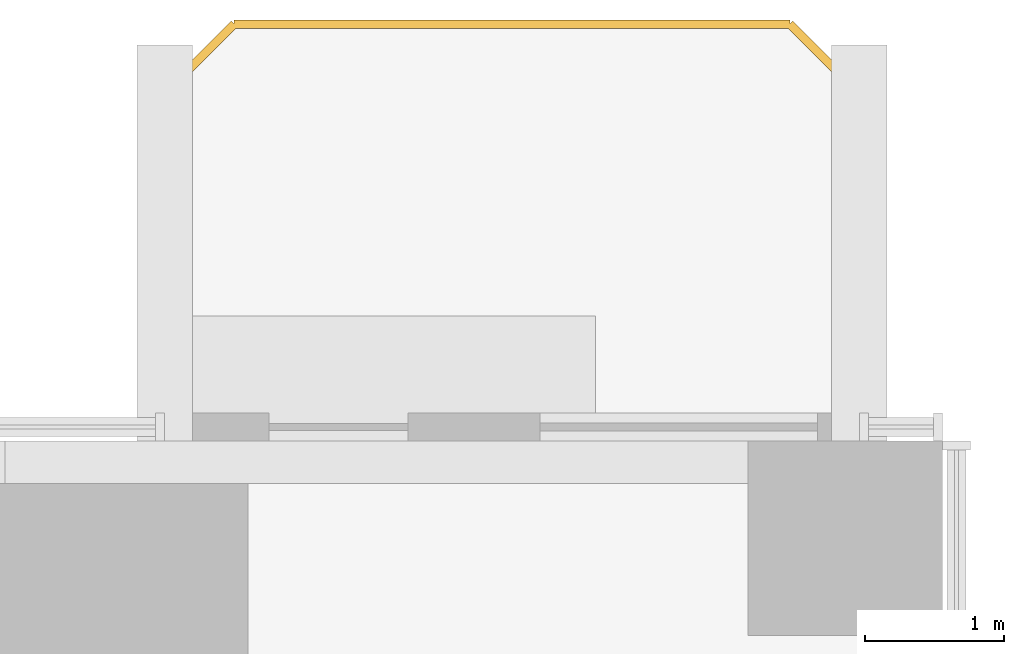
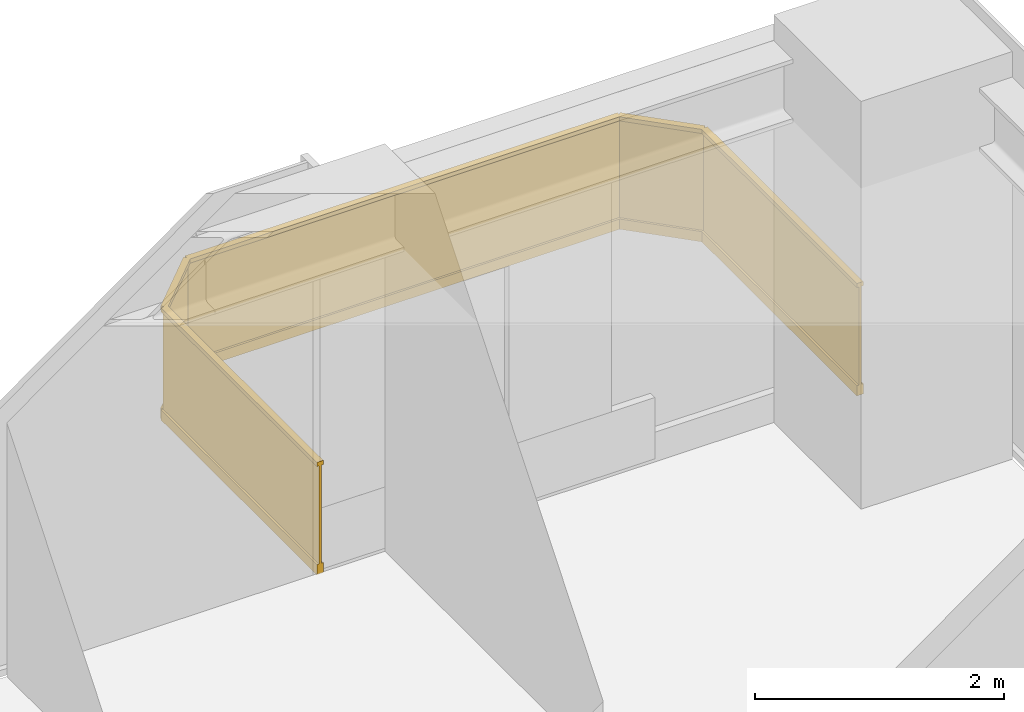
# One storey, part 17 of 18: 1 railing.
"""IFC4 building model written with IfcOpenShell, lengths in metres."""

from ifc_helpers import new_model, si_unit, direction, frame, origin, origin_2d, place, context, subcontext, project, spatial, rectangle, extrude, material, type_object, element, save


model = new_model("IFC4")

# Units and contexts
model_context = context("Model", 3, precision=1e-05, world=origin(), true_north=direction((0.0, 1.0)))
body_context = subcontext(model_context, "Body", "Model", "MODEL_VIEW")
ifc_project = project(units=[si_unit("LENGTHUNIT", "METRE"), si_unit("AREAUNIT", "SQUARE_METRE"), si_unit("VOLUMEUNIT", "CUBIC_METRE"), si_unit("PLANEANGLEUNIT", "RADIAN"), si_unit("MASSUNIT", "GRAM", prefix="KILO")], contexts=[model_context])

# Site, building, storey
site_placement = place(None, origin())
site = spatial("IfcSite", under=ifc_project, at=site_placement, CompositionType="ELEMENT")
building_placement = place(site_placement, origin())
building = spatial("IfcBuilding", under=site, at=building_placement, Name="Svetlomir Tower", CompositionType="ELEMENT")
storey_placement = place(building_placement, frame((0.0, 0.0, 54.5)))
storey = spatial("IfcBuildingStorey", under=building, at=storey_placement, Name="L12", CompositionType="ELEMENT", Elevation=54.5)

# Railing
ifc_material = material(Name="Bronze anodised aluminium and laminated glass", Category="aluminium")
railing_type = type_object("IfcRailingType", Name="BALCONY GUARD GR1 1100", PredefinedType="GUARDRAIL", material=ifc_material)
railing_placement = place(storey_placement, frame((35.39990234375, 42.0, 0.0)))
element("IfcRailing", 1, at=railing_placement, inside=storey, type_object=railing_type, Name="Balcony guard N L12", PredefinedType="GUARDRAIL", context=body_context, shape_type="SweptSolid", body=[
    extrude(rectangle(XDim=0.06005859375, YDim=0.10009765625, at=origin_2d()), frame((0.0, 0.0, 0.050048828125), z_axis=(0.0, 1.0, 0.0), x_axis=(-1.0, 0.0, 0.0)), (0.0, 0.0, 1.0), 2.5),
    extrude(rectangle(XDim=0.021484375, YDim=0.960205078125, at=origin_2d()), frame((0.0, 0.0, 0.580078125), z_axis=(0.0, 1.0, 0.0), x_axis=(-1.0, 0.0, 0.0)), (0.0, 0.0, 1.0), 2.5),
    extrude(rectangle(XDim=0.06005859375, YDim=0.0400390625, at=origin_2d()), frame((0.0, 0.0, 1.080078125), z_axis=(0.0, 1.0, 0.0), x_axis=(-1.0, 0.0, 0.0)), (0.0, 0.0, 1.0), 2.5),
    extrude(rectangle(XDim=0.06005859375, YDim=0.10009765625, at=origin_2d()), frame((0.0, 2.5, 0.050048828125), z_axis=(-0.707106781187, 0.707106781187, 0.0), x_axis=(-0.707106781187, -0.707106781187, 0.0)), (0.0, 0.0, 1.0), 0.70703125),
    extrude(rectangle(XDim=0.021484375, YDim=0.960205078125, at=origin_2d()), frame((0.0, 2.5, 0.580078125), z_axis=(-0.707106781187, 0.707106781187, 0.0), x_axis=(-0.707106781187, -0.707106781187, 0.0)), (0.0, 0.0, 1.0), 0.70703125),
    extrude(rectangle(XDim=0.06005859375, YDim=0.0400390625, at=origin_2d()), frame((0.0, 2.5, 1.080078125), z_axis=(-0.707106781187, 0.707106781187, 0.0), x_axis=(-0.707106781187, -0.707106781187, 0.0)), (0.0, 0.0, 1.0), 0.70703125),
    extrude(rectangle(XDim=0.06005859375, YDim=0.10009765625, at=origin_2d()), frame((-0.5, 3.0, 0.050048828125), z_axis=(-1.0, 0.0, 0.0), x_axis=(0.0, -1.0, 0.0)), (0.0, 0.0, 1.0), 4.0),
    extrude(rectangle(XDim=0.021484375, YDim=0.960205078125, at=origin_2d()), frame((-0.5, 3.0, 0.580078125), z_axis=(-1.0, 0.0, 0.0), x_axis=(0.0, -1.0, 0.0)), (0.0, 0.0, 1.0), 4.0),
    extrude(rectangle(XDim=0.06005859375, YDim=0.0400390625, at=origin_2d()), frame((-0.5, 3.0, 1.080078125), z_axis=(-1.0, 0.0, 0.0), x_axis=(0.0, -1.0, 0.0)), (0.0, 0.0, 1.0), 4.0),
    extrude(rectangle(XDim=0.06005859375, YDim=0.10009765625, at=origin_2d()), frame((-4.5, 3.0, 0.050048828125), z_axis=(-0.707106781187, -0.707106781187, 0.0), x_axis=(0.707106781187, -0.707106781187, 0.0)), (0.0, 0.0, 1.0), 0.70703125),
    extrude(rectangle(XDim=0.021484375, YDim=0.960205078125, at=origin_2d()), frame((-4.5, 3.0, 0.580078125), z_axis=(-0.707106781187, -0.707106781187, 0.0), x_axis=(0.707106781187, -0.707106781187, 0.0)), (0.0, 0.0, 1.0), 0.70703125),
    extrude(rectangle(XDim=0.06005859375, YDim=0.0400390625, at=origin_2d()), frame((-4.5, 3.0, 1.080078125), z_axis=(-0.707106781187, -0.707106781187, 0.0), x_axis=(0.707106781187, -0.707106781187, 0.0)), (0.0, 0.0, 1.0), 0.70703125),
    extrude(rectangle(XDim=0.06005859375, YDim=0.10009765625, at=origin_2d()), frame((-5.0, 2.5, 0.050048828125), z_axis=(0.0, -1.0, 0.0), x_axis=(1.0, 0.0, 0.0)), (0.0, 0.0, 1.0), 2.5),
    extrude(rectangle(XDim=0.021484375, YDim=0.960205078125, at=origin_2d()), frame((-5.0, 2.5, 0.580078125), z_axis=(0.0, -1.0, 0.0), x_axis=(1.0, 0.0, 0.0)), (0.0, 0.0, 1.0), 2.5),
    extrude(rectangle(XDim=0.06005859375, YDim=0.0400390625, at=origin_2d()), frame((-5.0, 2.5, 1.080078125), z_axis=(0.0, -1.0, 0.0), x_axis=(1.0, 0.0, 0.0)), (0.0, 0.0, 1.0), 2.5),
])

save(model, "model.ifc")
